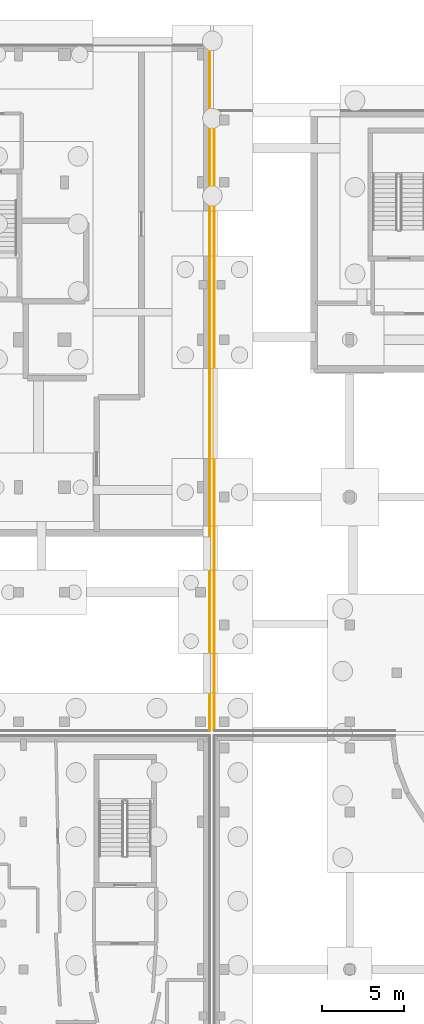
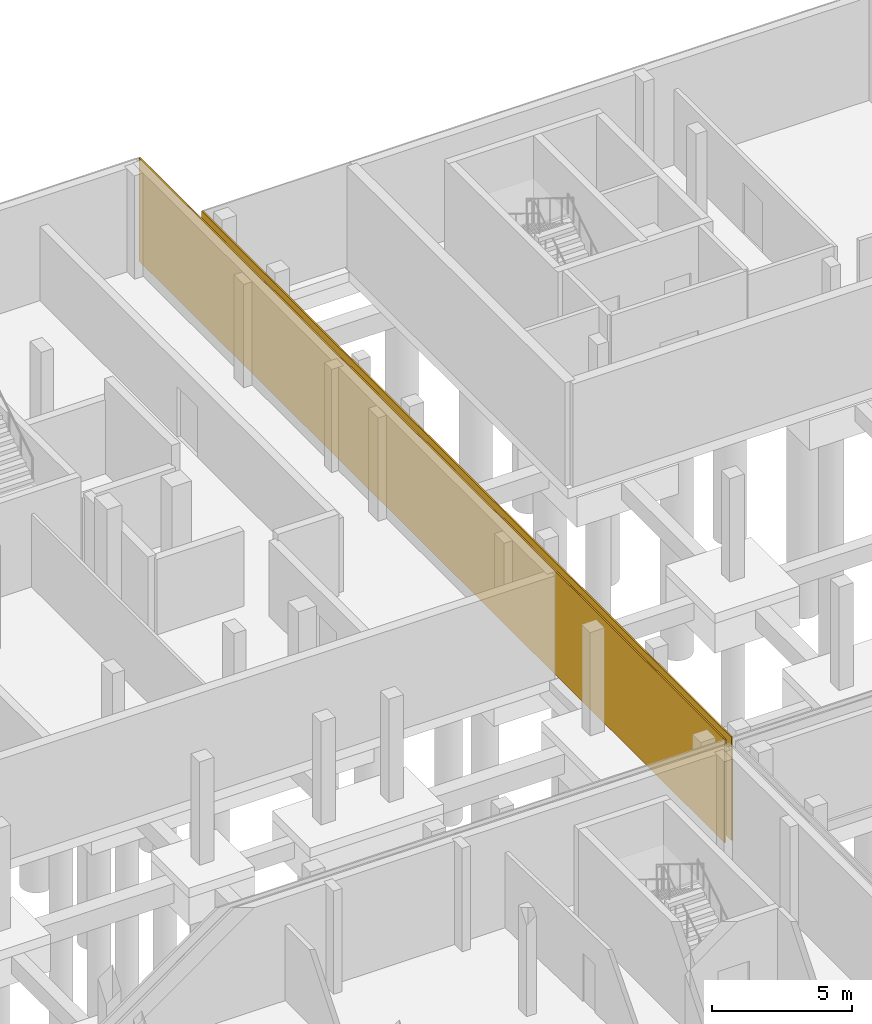
# One storey, part 33 of 40: 2 coverings.
"""IFC4 building model written with IfcOpenShell, lengths in metres."""

import ifcopenshell
import ifcopenshell.guid

model = None  # the IFC model being written
_history = None  # IfcOwnerHistory: only IFC2X3 demands one
_inside = {}  # id of a spatial element -> (the spatial element, [elements in it])
_under = {}  # id of a project, library or spatial element -> (it, [spatial elements below it])
_declared = {}  # id of a project -> (the project, [libraries it declares])
_typed = {}  # id of a type object -> (the type object, [elements of that type])
_made_of = {}  # id of a material, layer set ... -> (it, [elements and type objects made of it])


def new_model(schema):
    """Start an empty IFC model of exactly this schema.

    Asked for "IFC4X3", IfcOpenShell would pick the latest addendum, in which some entities
    have other attributes; the version numbers below select the first issue.
    IFC2X3 requires an IfcOwnerHistory on every rooted entity: one is made here for all.
    """
    global model, _history
    if schema == "IFC4X3":
        model = ifcopenshell.file(schema_version=(4, 3, 0, 0))
    else:
        model = ifcopenshell.file(schema=schema)
    _inside.clear()
    _under.clear()
    _declared.clear()
    _typed.clear()
    _made_of.clear()
    _history = None
    if model.schema == "IFC2X3":
        org = make("IfcOrganization", Name="unknown")
        user = make(
            "IfcPersonAndOrganization",
            ThePerson=make("IfcPerson", FamilyName="unknown"),
            TheOrganization=org,
        )
        app = make(
            "IfcApplication",
            ApplicationDeveloper=org,
            Version="unknown",
            ApplicationFullName="unknown",
            ApplicationIdentifier="unknown",
        )
        _history = make(
            "IfcOwnerHistory",
            OwningUser=user,
            OwningApplication=app,
            ChangeAction="ADDED",
            CreationDate=0,
        )
    return model


def make(cls, **values):
    """One entity of the class cls with the attributes given. An attribute that is None is left unset."""
    return model.create_entity(
        cls, **{name: value for name, value in values.items() if value is not None}
    )


def rooted(cls, **values):
    """An entity with a GlobalId (a new one), such as an element, a storey or a relation."""
    return make(cls, GlobalId=ifcopenshell.guid.new(), OwnerHistory=_history, **values)


def si_unit(unit_type, name, prefix=None):
    """IfcSIUnit, for example si_unit("LENGTHUNIT", "METRE", prefix="MILLI")."""
    return make("IfcSIUnit", UnitType=unit_type, Prefix=prefix, Name=name)


def assignment(units):
    """IfcUnitAssignment: the units of a project."""
    return None if units is None else make("IfcUnitAssignment", Units=units)


def point(xyz):
    """IfcCartesianPoint."""
    return None if xyz is None else make("IfcCartesianPoint", Coordinates=xyz)


def direction(xyz):
    """IfcDirection."""
    return None if xyz is None else make("IfcDirection", DirectionRatios=xyz)


def frame(location, z_axis=None, x_axis=None):
    """IfcAxis2Placement3D, a coordinate frame: its origin and axes. An axis left out is left unset."""
    return make(
        "IfcAxis2Placement3D",
        Location=point(location),
        Axis=direction(z_axis),
        RefDirection=direction(x_axis),
    )


def frame_2d(location, x_axis=None):
    """IfcAxis2Placement2D, a coordinate frame in the plane: its origin and x axis."""
    return make(
        "IfcAxis2Placement2D", Location=point(location), RefDirection=direction(x_axis)
    )


def origin():
    """The frame at (0, 0, 0) with its axes left unset."""
    return frame((0.0, 0.0, 0.0))


def origin_2d():
    """The frame at (0, 0) in the plane with its x axis left unset."""
    return frame_2d((0.0, 0.0))


def place(relative_to, where):
    """IfcLocalPlacement: puts the frame where relative to a parent placement (None: the world)."""
    return make(
        "IfcLocalPlacement", PlacementRelTo=relative_to, RelativePlacement=where
    )


def context(
    kind, dimensions, precision=None, world=None, true_north=None, identifier=None
):
    """IfcGeometricRepresentationContext, for example the 3D "Model" context."""
    return make(
        "IfcGeometricRepresentationContext",
        ContextIdentifier=identifier,
        ContextType=kind,
        CoordinateSpaceDimension=dimensions,
        Precision=precision,
        WorldCoordinateSystem=world,
        TrueNorth=true_north,
    )


def subcontext(parent, identifier, kind, view, scale=None):
    """IfcGeometricRepresentationSubContext, for example "Body" below "Model"."""
    return make(
        "IfcGeometricRepresentationSubContext",
        ContextIdentifier=identifier,
        ContextType=kind,
        ParentContext=parent,
        TargetScale=scale,
        TargetView=view,
    )


def project(units=None, contexts=None):
    """IfcProject with its units and contexts."""
    return rooted(
        "IfcProject",
        Name="project",
        RepresentationContexts=contexts,
        UnitsInContext=assignment(units),
    )


def spatial(cls, under=None, at=None, **own):
    """A site, building, storey or space (cls), placed at a placement, below another one or the project."""
    s = rooted(cls, ObjectPlacement=at, **own)
    if under is not None:
        _under.setdefault(under.id(), (under, []))[1].append(s)
    return s


def profile(cls, at=None, kind="AREA", **sizes):
    """A parametric profile (cls). Its sizes go by their IFC names, for example OverallWidth=200.0."""
    return make(cls, ProfileType=kind, Position=at, **sizes)


def rectangle(**sizes):
    """IfcRectangleProfileDef."""
    return profile("IfcRectangleProfileDef", **sizes)


def extrude(swept, where, along, depth):
    """IfcExtrudedAreaSolid: the profile swept, set in the frame where, extruded along a direction by depth."""
    return make(
        "IfcExtrudedAreaSolid",
        SweptArea=swept,
        Position=where,
        ExtrudedDirection=direction(along),
        Depth=depth,
    )


def shape(context_of_items, identifier, shape_type, items):
    """IfcShapeRepresentation: the items that make up one representation, for example the "Body"."""
    return make(
        "IfcShapeRepresentation",
        ContextOfItems=context_of_items,
        RepresentationIdentifier=identifier,
        RepresentationType=shape_type,
        Items=items,
    )


def material(Name=None, Category=None):
    """IfcMaterial."""
    return make("IfcMaterial", Name=Name, Category=Category)


def layer(
    of_material, thickness, ventilated=None, Name=None, Category=None, Priority=None
):
    """IfcMaterialLayer: one layer of a wall or slab, of a material (None: an air gap)."""
    return make(
        "IfcMaterialLayer",
        Material=of_material,
        LayerThickness=thickness,
        IsVentilated=ventilated,
        Name=Name,
        Category=Category,
        Priority=Priority,
    )


def layer_set(layers, Name=None):
    """IfcMaterialLayerSet."""
    return make("IfcMaterialLayerSet", MaterialLayers=layers, LayerSetName=Name)


def made_of(thing, what):
    """Note that an element or type object is made of a material, layer set ...; save() writes the relation."""
    if what is not None:
        _made_of.setdefault(what.id(), (what, []))[1].append(thing)
    return thing


def type_object(cls, material=None, **own):
    """A type object (cls), such as IfcWallType, which elements share."""
    return made_of(rooted(cls, **own), material)


def element(
    cls,
    number,
    at=None,
    inside=None,
    cuts=None,
    type_object=None,
    material=None,
    context=None,
    identifier="Body",
    shape_type=None,
    held_by="IfcProductDefinitionShape",
    body=None,
    shapes=None,
    **own,
):
    """One element of the class cls, such as IfcWall. Its Tag is "e" and its number.

    at: its placement. inside: the storey or other place that contains it. cuts: it is an
    opening in that element (IfcRelVoidsElement). A single representation is given by context,
    identifier, shape_type and body (its items); several are given by shapes. held_by: the class
    of the entity that holds the representations. save() writes the other relations.
    """
    e = rooted(cls, Tag="e%d" % number, ObjectPlacement=at, **own)
    if body is not None:
        shapes = [shape(context, identifier, shape_type, body)]
    if shapes is not None:
        e.Representation = make(held_by, Representations=shapes)
    if inside is not None:
        _inside.setdefault(inside.id(), (inside, []))[1].append(e)
    if cuts is not None:
        rooted(
            "IfcRelVoidsElement", RelatingBuildingElement=cuts, RelatedOpeningElement=e
        )
    if type_object is not None:
        _typed.setdefault(type_object.id(), (type_object, []))[1].append(e)
    return made_of(e, material)


def aggregate(whole, parts):
    """IfcRelAggregates: a whole, such as a stair, and the parts it consists of."""
    return rooted("IfcRelAggregates", RelatingObject=whole, RelatedObjects=parts)


def save(model, path):
    """Write the relations noted so far, then the file.

    IfcRelAggregates (storeys below a building ...), IfcRelContainedInSpatialStructure (elements
    in a storey), IfcRelDefinesByType, IfcRelAssociatesMaterial and IfcRelDeclares: one each for
    every whole, place, type object, material and project.
    """
    for whole, parts in _under.values():
        aggregate(whole, parts)
    for where, things in _inside.values():
        rooted(
            "IfcRelContainedInSpatialStructure",
            RelatedElements=things,
            RelatingStructure=where,
        )
    for kind, things in _typed.values():
        rooted("IfcRelDefinesByType", RelatedObjects=things, RelatingType=kind)
    for what, things in _made_of.values():
        rooted("IfcRelAssociatesMaterial", RelatedObjects=things, RelatingMaterial=what)
    for by, libraries in _declared.values():
        rooted("IfcRelDeclares", RelatingContext=by, RelatedDefinitions=libraries)
    model.write(path)


model = new_model("IFC4")

# Units and contexts
model_context = context("Model", 3, precision=1e-05, world=origin(), true_north=direction((0.0, 1.0)))
body_context = subcontext(model_context, "Body", "Model", "MODEL_VIEW")
ifc_project = project(units=[si_unit("LENGTHUNIT", "METRE"), si_unit("AREAUNIT", "SQUARE_METRE"), si_unit("VOLUMEUNIT", "CUBIC_METRE"), si_unit("PLANEANGLEUNIT", "RADIAN"), si_unit("MASSUNIT", "GRAM", prefix="KILO")], contexts=[model_context])

# Site, building, storey
site_placement = place(None, origin())
site = spatial("IfcSite", under=ifc_project, at=site_placement, CompositionType="ELEMENT")
building_placement = place(site_placement, origin())
building = spatial("IfcBuilding", under=site, at=building_placement, Name="Mzevani Central Library", CompositionType="ELEMENT")
storey_placement = place(building_placement, frame((0.0, 0.0, -4.5)))
storey = spatial("IfcBuildingStorey", under=building, at=storey_placement, Name="B1", CompositionType="ELEMENT", Elevation=-4.5)

# Coverings
ifc_material = material(Name="Limestone ashlar cladding", Category="masonry")
ifc_layer = layer(ifc_material, 0.050048828125, Name="Limestone Ashlar Spandrel Cladding")
ifc_layer_set = layer_set([ifc_layer], Name="Limestone ashlar cladding")
covering_type = type_object("IfcCoveringType", Name="Limestone Ashlar Spandrel Cladding", PredefinedType="CLADDING", material=ifc_layer_set)
covering_1_placement = place(storey_placement, frame((45.860107421875, 97.050048828125, 0.0), z_axis=(0.0, 0.0, 1.0), x_axis=(0.0, -1.0, 0.0)))
element("IfcCovering", 1, at=covering_1_placement, inside=storey, type_object=covering_type, Name="B1 V2 Perimeter Plinth Cladding (38)", PredefinedType="CLADDING", context=body_context, shape_type="SweptSolid", body=[
    extrude(rectangle(XDim=41.820068359375, YDim=0.06005859375, at=origin_2d()), origin(), (0.0, 0.0, 1.0), 4.5),
])
covering_2_placement = place(storey_placement, frame((46.139892578125, 95.050048828125, 0.0), z_axis=(0.0, 0.0, 1.0), x_axis=(0.0, 1.0, 0.0)))
element("IfcCovering", 2, at=covering_2_placement, inside=storey, type_object=covering_type, Name="B1 V3 Perimeter Plinth Cladding (43)", PredefinedType="CLADDING", context=body_context, shape_type="SweptSolid", body=[
    extrude(rectangle(XDim=37.820068359375, YDim=0.06005859375, at=origin_2d()), origin(), (0.0, 0.0, 1.0), 4.5),
])

save(model, "model.ifc")
